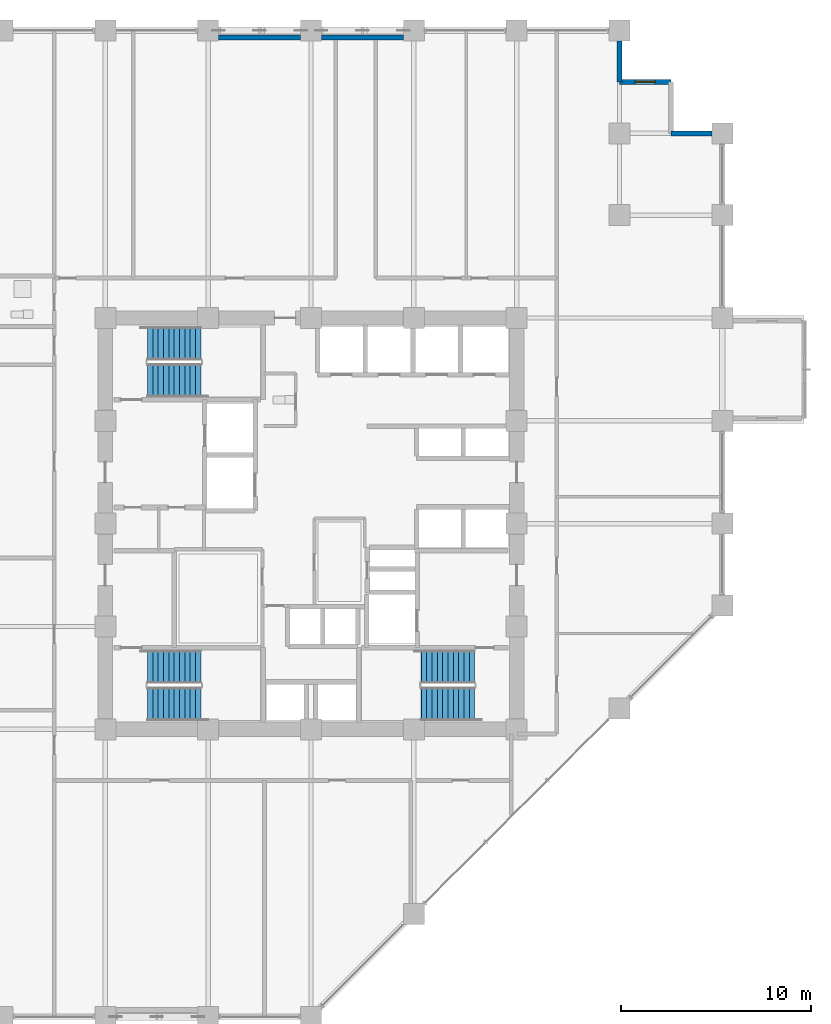
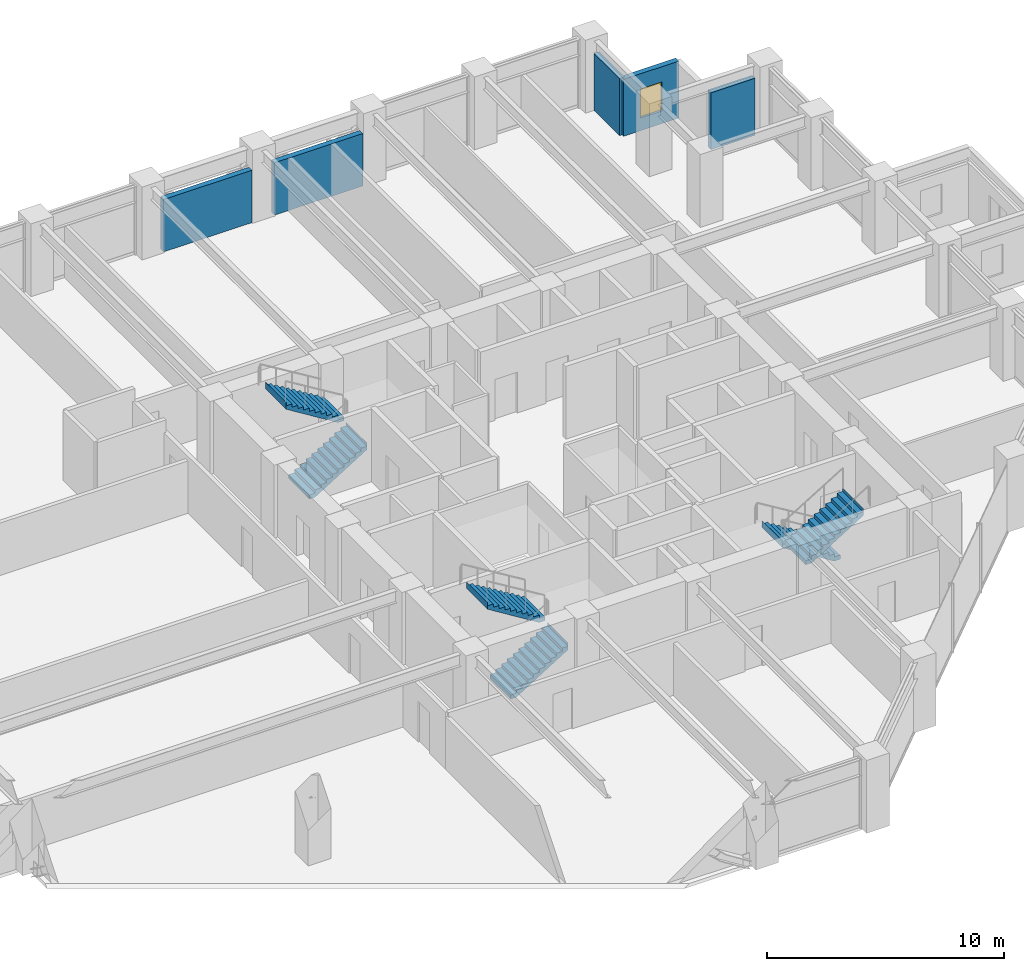
# One storey, part 25 of 29: 6 stair flights, 5 walls, 1 window, 1 opening, 3 elements without a shape of their own.
"""IFC4 building model written with IfcOpenShell, lengths in metres."""

import ifcopenshell
import ifcopenshell.guid

model = None  # the IFC model being written
_history = None  # IfcOwnerHistory: only IFC2X3 demands one
_inside = {}  # id of a spatial element -> (the spatial element, [elements in it])
_under = {}  # id of a project, library or spatial element -> (it, [spatial elements below it])
_declared = {}  # id of a project -> (the project, [libraries it declares])
_typed = {}  # id of a type object -> (the type object, [elements of that type])
_made_of = {}  # id of a material, layer set ... -> (it, [elements and type objects made of it])


def new_model(schema):
    """Start an empty IFC model of exactly this schema.

    Asked for "IFC4X3", IfcOpenShell would pick the latest addendum, in which some entities
    have other attributes; the version numbers below select the first issue.
    IFC2X3 requires an IfcOwnerHistory on every rooted entity: one is made here for all.
    """
    global model, _history
    if schema == "IFC4X3":
        model = ifcopenshell.file(schema_version=(4, 3, 0, 0))
    else:
        model = ifcopenshell.file(schema=schema)
    _inside.clear()
    _under.clear()
    _declared.clear()
    _typed.clear()
    _made_of.clear()
    _history = None
    if model.schema == "IFC2X3":
        org = make("IfcOrganization", Name="unknown")
        user = make(
            "IfcPersonAndOrganization",
            ThePerson=make("IfcPerson", FamilyName="unknown"),
            TheOrganization=org,
        )
        app = make(
            "IfcApplication",
            ApplicationDeveloper=org,
            Version="unknown",
            ApplicationFullName="unknown",
            ApplicationIdentifier="unknown",
        )
        _history = make(
            "IfcOwnerHistory",
            OwningUser=user,
            OwningApplication=app,
            ChangeAction="ADDED",
            CreationDate=0,
        )
    return model


def make(cls, **values):
    """One entity of the class cls with the attributes given. An attribute that is None is left unset."""
    return model.create_entity(
        cls, **{name: value for name, value in values.items() if value is not None}
    )


def rooted(cls, **values):
    """An entity with a GlobalId (a new one), such as an element, a storey or a relation."""
    return make(cls, GlobalId=ifcopenshell.guid.new(), OwnerHistory=_history, **values)


def si_unit(unit_type, name, prefix=None):
    """IfcSIUnit, for example si_unit("LENGTHUNIT", "METRE", prefix="MILLI")."""
    return make("IfcSIUnit", UnitType=unit_type, Prefix=prefix, Name=name)


def assignment(units):
    """IfcUnitAssignment: the units of a project."""
    return None if units is None else make("IfcUnitAssignment", Units=units)


def point(xyz):
    """IfcCartesianPoint."""
    return None if xyz is None else make("IfcCartesianPoint", Coordinates=xyz)


def direction(xyz):
    """IfcDirection."""
    return None if xyz is None else make("IfcDirection", DirectionRatios=xyz)


def frame(location, z_axis=None, x_axis=None):
    """IfcAxis2Placement3D, a coordinate frame: its origin and axes. An axis left out is left unset."""
    return make(
        "IfcAxis2Placement3D",
        Location=point(location),
        Axis=direction(z_axis),
        RefDirection=direction(x_axis),
    )


def frame_2d(location, x_axis=None):
    """IfcAxis2Placement2D, a coordinate frame in the plane: its origin and x axis."""
    return make(
        "IfcAxis2Placement2D", Location=point(location), RefDirection=direction(x_axis)
    )


def origin():
    """The frame at (0, 0, 0) with its axes left unset."""
    return frame((0.0, 0.0, 0.0))


def place(relative_to, where):
    """IfcLocalPlacement: puts the frame where relative to a parent placement (None: the world)."""
    return make(
        "IfcLocalPlacement", PlacementRelTo=relative_to, RelativePlacement=where
    )


def context(
    kind, dimensions, precision=None, world=None, true_north=None, identifier=None
):
    """IfcGeometricRepresentationContext, for example the 3D "Model" context."""
    return make(
        "IfcGeometricRepresentationContext",
        ContextIdentifier=identifier,
        ContextType=kind,
        CoordinateSpaceDimension=dimensions,
        Precision=precision,
        WorldCoordinateSystem=world,
        TrueNorth=true_north,
    )


def subcontext(parent, identifier, kind, view, scale=None):
    """IfcGeometricRepresentationSubContext, for example "Body" below "Model"."""
    return make(
        "IfcGeometricRepresentationSubContext",
        ContextIdentifier=identifier,
        ContextType=kind,
        ParentContext=parent,
        TargetScale=scale,
        TargetView=view,
    )


def project(units=None, contexts=None):
    """IfcProject with its units and contexts."""
    return rooted(
        "IfcProject",
        Name="project",
        RepresentationContexts=contexts,
        UnitsInContext=assignment(units),
    )


def spatial(cls, under=None, at=None, **own):
    """A site, building, storey or space (cls), placed at a placement, below another one or the project."""
    s = rooted(cls, ObjectPlacement=at, **own)
    if under is not None:
        _under.setdefault(under.id(), (under, []))[1].append(s)
    return s


def polyline(points):
    """IfcPolyline through the points."""
    return make("IfcPolyline", Points=[point(p) for p in points])


def profile(cls, at=None, kind="AREA", **sizes):
    """A parametric profile (cls). Its sizes go by their IFC names, for example OverallWidth=200.0."""
    return make(cls, ProfileType=kind, Position=at, **sizes)


def rectangle(**sizes):
    """IfcRectangleProfileDef."""
    return profile("IfcRectangleProfileDef", **sizes)


def outline(outer, holes=None, kind="AREA"):
    """IfcArbitraryClosedProfileDef: a profile drawn as a closed curve; with holes, ...WithVoids."""
    if holes is None:
        return make("IfcArbitraryClosedProfileDef", ProfileType=kind, OuterCurve=outer)
    return make(
        "IfcArbitraryProfileDefWithVoids",
        ProfileType=kind,
        OuterCurve=outer,
        InnerCurves=holes,
    )


def extrude(swept, where, along, depth):
    """IfcExtrudedAreaSolid: the profile swept, set in the frame where, extruded along a direction by depth."""
    return make(
        "IfcExtrudedAreaSolid",
        SweptArea=swept,
        Position=where,
        ExtrudedDirection=direction(along),
        Depth=depth,
    )


def shape(context_of_items, identifier, shape_type, items):
    """IfcShapeRepresentation: the items that make up one representation, for example the "Body"."""
    return make(
        "IfcShapeRepresentation",
        ContextOfItems=context_of_items,
        RepresentationIdentifier=identifier,
        RepresentationType=shape_type,
        Items=items,
    )


def material(Name=None, Category=None):
    """IfcMaterial."""
    return make("IfcMaterial", Name=Name, Category=Category)


def layer(
    of_material, thickness, ventilated=None, Name=None, Category=None, Priority=None
):
    """IfcMaterialLayer: one layer of a wall or slab, of a material (None: an air gap)."""
    return make(
        "IfcMaterialLayer",
        Material=of_material,
        LayerThickness=thickness,
        IsVentilated=ventilated,
        Name=Name,
        Category=Category,
        Priority=Priority,
    )


def layer_set(layers, Name=None):
    """IfcMaterialLayerSet."""
    return make("IfcMaterialLayerSet", MaterialLayers=layers, LayerSetName=Name)


def made_of(thing, what):
    """Note that an element or type object is made of a material, layer set ...; save() writes the relation."""
    if what is not None:
        _made_of.setdefault(what.id(), (what, []))[1].append(thing)
    return thing


def type_object(cls, material=None, **own):
    """A type object (cls), such as IfcWallType, which elements share."""
    return made_of(rooted(cls, **own), material)


def element(
    cls,
    number,
    at=None,
    inside=None,
    cuts=None,
    type_object=None,
    material=None,
    context=None,
    identifier="Body",
    shape_type=None,
    held_by="IfcProductDefinitionShape",
    body=None,
    shapes=None,
    **own,
):
    """One element of the class cls, such as IfcWall. Its Tag is "e" and its number.

    at: its placement. inside: the storey or other place that contains it. cuts: it is an
    opening in that element (IfcRelVoidsElement). A single representation is given by context,
    identifier, shape_type and body (its items); several are given by shapes. held_by: the class
    of the entity that holds the representations. save() writes the other relations.
    """
    e = rooted(cls, Tag="e%d" % number, ObjectPlacement=at, **own)
    if body is not None:
        shapes = [shape(context, identifier, shape_type, body)]
    if shapes is not None:
        e.Representation = make(held_by, Representations=shapes)
    if inside is not None:
        _inside.setdefault(inside.id(), (inside, []))[1].append(e)
    if cuts is not None:
        rooted(
            "IfcRelVoidsElement", RelatingBuildingElement=cuts, RelatedOpeningElement=e
        )
    if type_object is not None:
        _typed.setdefault(type_object.id(), (type_object, []))[1].append(e)
    return made_of(e, material)


def fill(opening, filler):
    """IfcRelFillsElement: the door or window that sits in an opening."""
    return rooted(
        "IfcRelFillsElement",
        RelatingOpeningElement=opening,
        RelatedBuildingElement=filler,
    )


def aggregate(whole, parts):
    """IfcRelAggregates: a whole, such as a stair, and the parts it consists of."""
    return rooted("IfcRelAggregates", RelatingObject=whole, RelatedObjects=parts)


def save(model, path):
    """Write the relations noted so far, then the file.

    IfcRelAggregates (storeys below a building ...), IfcRelContainedInSpatialStructure (elements
    in a storey), IfcRelDefinesByType, IfcRelAssociatesMaterial and IfcRelDeclares: one each for
    every whole, place, type object, material and project.
    """
    for whole, parts in _under.values():
        aggregate(whole, parts)
    for where, things in _inside.values():
        rooted(
            "IfcRelContainedInSpatialStructure",
            RelatedElements=things,
            RelatingStructure=where,
        )
    for kind, things in _typed.values():
        rooted("IfcRelDefinesByType", RelatedObjects=things, RelatingType=kind)
    for what, things in _made_of.values():
        rooted("IfcRelAssociatesMaterial", RelatedObjects=things, RelatingMaterial=what)
    for by, libraries in _declared.values():
        rooted("IfcRelDeclares", RelatingContext=by, RelatedDefinitions=libraries)
    model.write(path)


model = new_model("IFC4")

# Units and contexts
model_context = context("Model", 3, precision=1e-05, world=origin(), true_north=direction((0.0, 1.0)))
body_context = subcontext(model_context, "Body", "Model", "MODEL_VIEW")
ifc_project = project(units=[si_unit("LENGTHUNIT", "METRE"), si_unit("AREAUNIT", "SQUARE_METRE"), si_unit("VOLUMEUNIT", "CUBIC_METRE"), si_unit("PLANEANGLEUNIT", "RADIAN"), si_unit("MASSUNIT", "GRAM", prefix="KILO")], contexts=[model_context])

# Site, building, storey
site_placement = place(None, origin())
site = spatial("IfcSite", under=ifc_project, at=site_placement, CompositionType="ELEMENT")
building_placement = place(site_placement, origin())
building = spatial("IfcBuilding", under=site, at=building_placement, Name="Surkhivell Harbour Commons", CompositionType="ELEMENT")
storey_placement = place(building_placement, frame((0.0, 0.0, 90.75)))
storey = spatial("IfcBuildingStorey", under=building, at=storey_placement, Name="L23", CompositionType="ELEMENT", Elevation=90.75)

# Wall
ifc_material_1 = material(Name="Pale-metal insulated precast concrete C45/55", Category="concrete")
ifc_layer = layer(ifc_material_1, 0.260009765625)
ifc_layer_set = layer_set([ifc_layer], Name="Pale-metal insulated precast concrete C45/55")
wall_type = type_object("IfcWallType", Name="WAL-EXT-MTL260", PredefinedType="STANDARD", material=ifc_layer_set)
wall_1_placement = place(storey_placement, frame((21.052001953125, 20.5, 0.0), z_axis=(0.0, 0.0, 1.0), x_axis=(-1.0, 0.0, 0.0)))
element("IfcWall", 1, at=wall_1_placement, inside=storey, type_object=wall_type, Name="L23 Serrated Corner Facade Wall 03", PredefinedType="STANDARD", context=body_context, shape_type="SweptSolid", body=[
    extrude(rectangle(XDim=2.152099609375, YDim=0.260009765625, at=frame_2d((1.076171875, 0.0))), origin(), (0.0, 0.0, 1.0), 2.93310546875),
])

# Wall, opening, window
wall_2_placement = place(storey_placement, frame((18.89990234375, 23.199951171875, 0.0), z_axis=(0.0, 0.0, 1.0), x_axis=(-1.0, 0.0, 0.0)))
wall_2 = element("IfcWall", 2, at=wall_2_placement, inside=storey, type_object=wall_type, Name="L23 Serrated Corner Facade Wall 05", PredefinedType="STANDARD", context=body_context, shape_type="SweptSolid", body=[
    extrude(rectangle(XDim=2.699951171875, YDim=0.260009765625, at=frame_2d((1.35009765625, 0.0))), origin(), (0.0, 0.0, 1.0), 2.93310546875),
])
opening_placement = place(wall_2_placement, frame((0.824951171875, 0.0, 0.64990234375)))
opening = element("IfcOpeningElement", 3, at=opening_placement, cuts=wall_2, Name="Opening WN-11", PredefinedType="OPENING", context=body_context, shape_type="SweptSolid", body=[
    extrude(rectangle(XDim=1.050048828125, YDim=1.5, at=frame_2d((0.52490234375, 0.75))), frame((0.0, 0.139892578125, 0.0), z_axis=(0.0, -1.0, 0.0), x_axis=(1.0, 0.0, 0.0)), (0.0, 0.0, 1.0), 0.280029296875),
])
ifc_material_2 = material(Name="Thermal-break aluminium frame and double low-E glazing", Category="aluminium")
window_type = type_object("IfcWindowType", Name="WIN-SER-1050x1500", PartitioningType="SINGLE_PANEL", PredefinedType="WINDOW", material=ifc_material_2)
window_placement = place(opening_placement, origin())
window = element("IfcWindow", 4, at=window_placement, inside=storey, type_object=window_type, Name="L23 Serrated Alcove Window 05", OverallHeight=1.5, OverallWidth=1.050048828125, PartitioningType="SINGLE_PANEL", PredefinedType="WINDOW", context=body_context, shape_type="SweptSolid", body=[
    extrude(rectangle(XDim=1.050048828125, YDim=1.5, at=frame_2d((0.52490234375, 0.75))), frame((0.0, 0.030029296875, 0.0), z_axis=(0.0, -1.0, 0.0), x_axis=(1.0, 0.0, 0.0)), (0.0, 0.0, 1.0), 0.06005859375),
])
fill(opening, window)

# Walls
wall_3_placement = place(storey_placement, frame((16.199951171875, 23.199951171875, 0.0), z_axis=(0.0, 0.0, 1.0), x_axis=(0.0, 1.0, 0.0)))
element("IfcWall", 5, at=wall_3_placement, inside=storey, type_object=wall_type, Name="L23 Serrated Corner Facade Wall 06", PredefinedType="STANDARD", context=body_context, shape_type="SweptSolid", body=[
    extrude(rectangle(XDim=2.152099609375, YDim=0.260009765625, at=frame_2d((1.076171875, 0.0))), origin(), (0.0, 0.0, 1.0), 2.93310546875),
])
for number, where, z_axis, x_axis, name in (
    (6, (-0.548095703125, 25.5400390625, 0.0), (0.0, 0.0, 1.0), (-1.0, 0.0, 0.0), "L23 Braced-Bay Insulated Spandrel Backing N"),
    (7, (4.85205078125, 25.5400390625, 0.0), (0.0, 0.0, 1.0), (-1.0, 0.0, 0.0), "L23 Braced-Bay Insulated Spandrel Backing N2"),
):
    element("IfcWall", number, at=place(storey_placement, frame(where, z_axis=z_axis, x_axis=x_axis)), inside=storey, type_object=wall_type, Name=name, PredefinedType="STANDARD", context=body_context, shape_type="SweptSolid", body=[
        extrude(rectangle(XDim=4.303955078125, YDim=0.260009765625, at=frame_2d((2.15185546875, 0.0))), origin(), (0.0, 0.0, 1.0), 2.698974609375),
    ])

# Stair, stair flights
ifc_material_3 = material(Name="Precast concrete C45/55", Category="concrete")
stair_type = type_object("IfcStairType", Name="STR-DL-375", PredefinedType="HALF_TURN_STAIR", material=ifc_material_3)
stair_1_placement = place(storey_placement, origin())
stair_1 = element("IfcStair", 8, at=stair_1_placement, inside=storey, type_object=stair_type, Name="L23 Core Exit Stair ST1", PredefinedType="HALF_TURN_STAIR")
stair_flight_type = type_object("IfcStairFlightType", Name="STF-DL-375", PredefinedType="STRAIGHT", material=ifc_material_3)
stair_flight_1_placement = place(storey_placement, frame((-8.590087890625, 7.514892578125, 0.0), z_axis=(0.0, 0.0, 1.0), x_axis=(1.0, 0.0, 0.0)))
stair_flight_1 = element("IfcStairFlight", 9, at=stair_flight_1_placement, type_object=stair_flight_type, Name="ST1 flight 1", NumberOfRisers=11, NumberOfTreads=10, PredefinedType="STRAIGHT", RiserHeight=0.170454545, TreadLength=0.28, context=body_context, shape_type="SweptSolid", body=[
    extrude(outline(polyline([(-0.0029296875, -0.034912109375), (-0.0029296875, 0.0), (0.0, 0.0), (0.0, 0.17041015625), (0.280029296875, 0.17041015625), (0.280029296875, 0.3408203125), (0.56005859375, 0.3408203125), (0.56005859375, 0.511474609375), (0.840087890625, 0.511474609375), (0.840087890625, 0.681884765625), (1.1201171875, 0.681884765625), (1.1201171875, 0.852294921875), (1.39990234375, 0.852294921875), (1.39990234375, 1.022705078125), (1.679931640625, 1.022705078125), (1.679931640625, 1.193115234375), (1.9599609375, 1.193115234375), (1.9599609375, 1.363525390625), (2.239990234375, 1.363525390625), (2.239990234375, 1.5341796875), (2.52001953125, 1.5341796875), (2.52001953125, 1.70458984375), (2.800048828125, 1.70458984375), (2.800048828125, 1.875), (2.802978515625, 1.875), (2.802978515625, 1.529052734375), (0.288330078125, -0.034912109375), (-0.0029296875, -0.034912109375)])), frame((0.0, 0.875, 0.0), z_axis=(0.0, -1.0, 0.0), x_axis=(1.0, 0.0, 0.0)), (0.0, 0.0, 1.0), 1.75),
])
stair_flight_2_placement = place(storey_placement, frame((-5.7900390625, 9.465087890625, 1.875), z_axis=(0.0, 0.0, 1.0), x_axis=(-1.0, 0.0, 0.0)))
stair_flight_2 = element("IfcStairFlight", 10, at=stair_flight_2_placement, type_object=stair_flight_type, Name="ST1 flight 2", NumberOfRisers=11, NumberOfTreads=10, PredefinedType="STRAIGHT", RiserHeight=0.170454545, TreadLength=0.28, context=body_context, shape_type="SweptSolid", body=[
    extrude(outline(polyline([(-0.0029296875, -0.034912109375), (-0.0029296875, 0.0), (0.0, 0.0), (0.0, 0.17041015625), (0.280029296875, 0.17041015625), (0.280029296875, 0.3408203125), (0.56005859375, 0.3408203125), (0.56005859375, 0.511474609375), (0.840087890625, 0.511474609375), (0.840087890625, 0.681884765625), (1.1201171875, 0.681884765625), (1.1201171875, 0.852294921875), (1.39990234375, 0.852294921875), (1.39990234375, 1.022705078125), (1.679931640625, 1.022705078125), (1.679931640625, 1.193115234375), (1.9599609375, 1.193115234375), (1.9599609375, 1.363525390625), (2.239990234375, 1.363525390625), (2.239990234375, 1.5341796875), (2.52001953125, 1.5341796875), (2.52001953125, 1.70458984375), (2.800048828125, 1.70458984375), (2.800048828125, 1.875), (2.802978515625, 1.875), (2.802978515625, 1.529052734375), (0.288330078125, -0.034912109375), (-0.0029296875, -0.034912109375)])), frame((0.0, 0.875, 0.0), z_axis=(0.0, -1.0, 0.0), x_axis=(1.0, 0.0, 0.0)), (0.0, 0.0, 1.0), 1.75),
])
aggregate(stair_1, [stair_flight_1, stair_flight_2])

stair_2_placement = place(storey_placement, origin())
stair_2 = element("IfcStair", 11, at=stair_2_placement, inside=storey, type_object=stair_type, Name="L23 Core Exit Stair ST2", PredefinedType="HALF_TURN_STAIR")
stair_flight_3_placement = place(storey_placement, frame((8.590087890625, -7.514892578125, 0.0), z_axis=(0.0, 0.0, 1.0), x_axis=(-1.0, 0.0, 0.0)))
stair_flight_3 = element("IfcStairFlight", 12, at=stair_flight_3_placement, type_object=stair_flight_type, Name="ST2 flight 1", NumberOfRisers=11, NumberOfTreads=10, PredefinedType="STRAIGHT", RiserHeight=0.170454545, TreadLength=0.28, context=body_context, shape_type="SweptSolid", body=[
    extrude(outline(polyline([(-0.0029296875, -0.034912109375), (-0.0029296875, 0.0), (0.0, 0.0), (0.0, 0.17041015625), (0.280029296875, 0.17041015625), (0.280029296875, 0.3408203125), (0.56005859375, 0.3408203125), (0.56005859375, 0.511474609375), (0.840087890625, 0.511474609375), (0.840087890625, 0.681884765625), (1.1201171875, 0.681884765625), (1.1201171875, 0.852294921875), (1.39990234375, 0.852294921875), (1.39990234375, 1.022705078125), (1.679931640625, 1.022705078125), (1.679931640625, 1.193115234375), (1.9599609375, 1.193115234375), (1.9599609375, 1.363525390625), (2.239990234375, 1.363525390625), (2.239990234375, 1.5341796875), (2.52001953125, 1.5341796875), (2.52001953125, 1.70458984375), (2.800048828125, 1.70458984375), (2.800048828125, 1.875), (2.802978515625, 1.875), (2.802978515625, 1.529052734375), (0.288330078125, -0.034912109375), (-0.0029296875, -0.034912109375)])), frame((0.0, 0.875, 0.0), z_axis=(0.0, -1.0, 0.0), x_axis=(1.0, 0.0, 0.0)), (0.0, 0.0, 1.0), 1.75),
])
stair_flight_4_placement = place(storey_placement, frame((5.7900390625, -9.465087890625, 1.875), z_axis=(0.0, 0.0, 1.0), x_axis=(1.0, 0.0, 0.0)))
stair_flight_4 = element("IfcStairFlight", 13, at=stair_flight_4_placement, type_object=stair_flight_type, Name="ST2 flight 2", NumberOfRisers=11, NumberOfTreads=10, PredefinedType="STRAIGHT", RiserHeight=0.170454545, TreadLength=0.28, context=body_context, shape_type="SweptSolid", body=[
    extrude(outline(polyline([(-0.0029296875, -0.034912109375), (-0.0029296875, 0.0), (0.0, 0.0), (0.0, 0.17041015625), (0.280029296875, 0.17041015625), (0.280029296875, 0.3408203125), (0.56005859375, 0.3408203125), (0.56005859375, 0.511474609375), (0.840087890625, 0.511474609375), (0.840087890625, 0.681884765625), (1.1201171875, 0.681884765625), (1.1201171875, 0.852294921875), (1.39990234375, 0.852294921875), (1.39990234375, 1.022705078125), (1.679931640625, 1.022705078125), (1.679931640625, 1.193115234375), (1.9599609375, 1.193115234375), (1.9599609375, 1.363525390625), (2.239990234375, 1.363525390625), (2.239990234375, 1.5341796875), (2.52001953125, 1.5341796875), (2.52001953125, 1.70458984375), (2.800048828125, 1.70458984375), (2.800048828125, 1.875), (2.802978515625, 1.875), (2.802978515625, 1.529052734375), (0.288330078125, -0.034912109375), (-0.0029296875, -0.034912109375)])), frame((0.0, 0.875, 0.0), z_axis=(0.0, -1.0, 0.0), x_axis=(1.0, 0.0, 0.0)), (0.0, 0.0, 1.0), 1.75),
])
aggregate(stair_2, [stair_flight_3, stair_flight_4])

stair_3_placement = place(storey_placement, origin())
stair_3 = element("IfcStair", 14, at=stair_3_placement, inside=storey, type_object=stair_type, Name="L23 Core Exit Stair ST3", PredefinedType="HALF_TURN_STAIR")
stair_flight_5_placement = place(storey_placement, frame((-8.590087890625, -9.465087890625, 0.0), z_axis=(0.0, 0.0, 1.0), x_axis=(1.0, 0.0, 0.0)))
stair_flight_5 = element("IfcStairFlight", 15, at=stair_flight_5_placement, type_object=stair_flight_type, Name="ST3 flight 1", NumberOfRisers=11, NumberOfTreads=10, PredefinedType="STRAIGHT", RiserHeight=0.170454545, TreadLength=0.28, context=body_context, shape_type="SweptSolid", body=[
    extrude(outline(polyline([(-0.0029296875, -0.034912109375), (-0.0029296875, 0.0), (0.0, 0.0), (0.0, 0.17041015625), (0.280029296875, 0.17041015625), (0.280029296875, 0.3408203125), (0.56005859375, 0.3408203125), (0.56005859375, 0.511474609375), (0.840087890625, 0.511474609375), (0.840087890625, 0.681884765625), (1.1201171875, 0.681884765625), (1.1201171875, 0.852294921875), (1.39990234375, 0.852294921875), (1.39990234375, 1.022705078125), (1.679931640625, 1.022705078125), (1.679931640625, 1.193115234375), (1.9599609375, 1.193115234375), (1.9599609375, 1.363525390625), (2.239990234375, 1.363525390625), (2.239990234375, 1.5341796875), (2.52001953125, 1.5341796875), (2.52001953125, 1.70458984375), (2.800048828125, 1.70458984375), (2.800048828125, 1.875), (2.802978515625, 1.875), (2.802978515625, 1.529052734375), (0.288330078125, -0.034912109375), (-0.0029296875, -0.034912109375)])), frame((0.0, 0.875, 0.0), z_axis=(0.0, -1.0, 0.0), x_axis=(1.0, 0.0, 0.0)), (0.0, 0.0, 1.0), 1.75),
])
stair_flight_6_placement = place(storey_placement, frame((-5.7900390625, -7.514892578125, 1.875), z_axis=(0.0, 0.0, 1.0), x_axis=(-1.0, 0.0, 0.0)))
stair_flight_6 = element("IfcStairFlight", 16, at=stair_flight_6_placement, type_object=stair_flight_type, Name="ST3 flight 2", NumberOfRisers=11, NumberOfTreads=10, PredefinedType="STRAIGHT", RiserHeight=0.170454545, TreadLength=0.28, context=body_context, shape_type="SweptSolid", body=[
    extrude(outline(polyline([(-0.0029296875, -0.034912109375), (-0.0029296875, 0.0), (0.0, 0.0), (0.0, 0.17041015625), (0.280029296875, 0.17041015625), (0.280029296875, 0.3408203125), (0.56005859375, 0.3408203125), (0.56005859375, 0.511474609375), (0.840087890625, 0.511474609375), (0.840087890625, 0.681884765625), (1.1201171875, 0.681884765625), (1.1201171875, 0.852294921875), (1.39990234375, 0.852294921875), (1.39990234375, 1.022705078125), (1.679931640625, 1.022705078125), (1.679931640625, 1.193115234375), (1.9599609375, 1.193115234375), (1.9599609375, 1.363525390625), (2.239990234375, 1.363525390625), (2.239990234375, 1.5341796875), (2.52001953125, 1.5341796875), (2.52001953125, 1.70458984375), (2.800048828125, 1.70458984375), (2.800048828125, 1.875), (2.802978515625, 1.875), (2.802978515625, 1.529052734375), (0.288330078125, -0.034912109375), (-0.0029296875, -0.034912109375)])), frame((0.0, 0.875, 0.0), z_axis=(0.0, -1.0, 0.0), x_axis=(1.0, 0.0, 0.0)), (0.0, 0.0, 1.0), 1.75),
])
aggregate(stair_3, [stair_flight_5, stair_flight_6])

save(model, "model.ifc")
